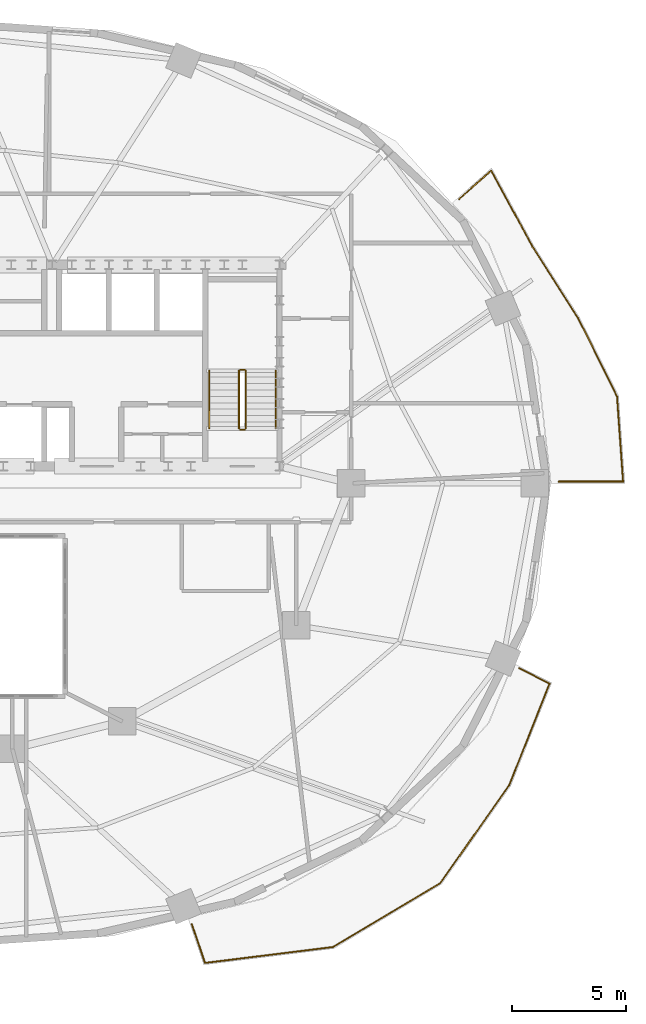
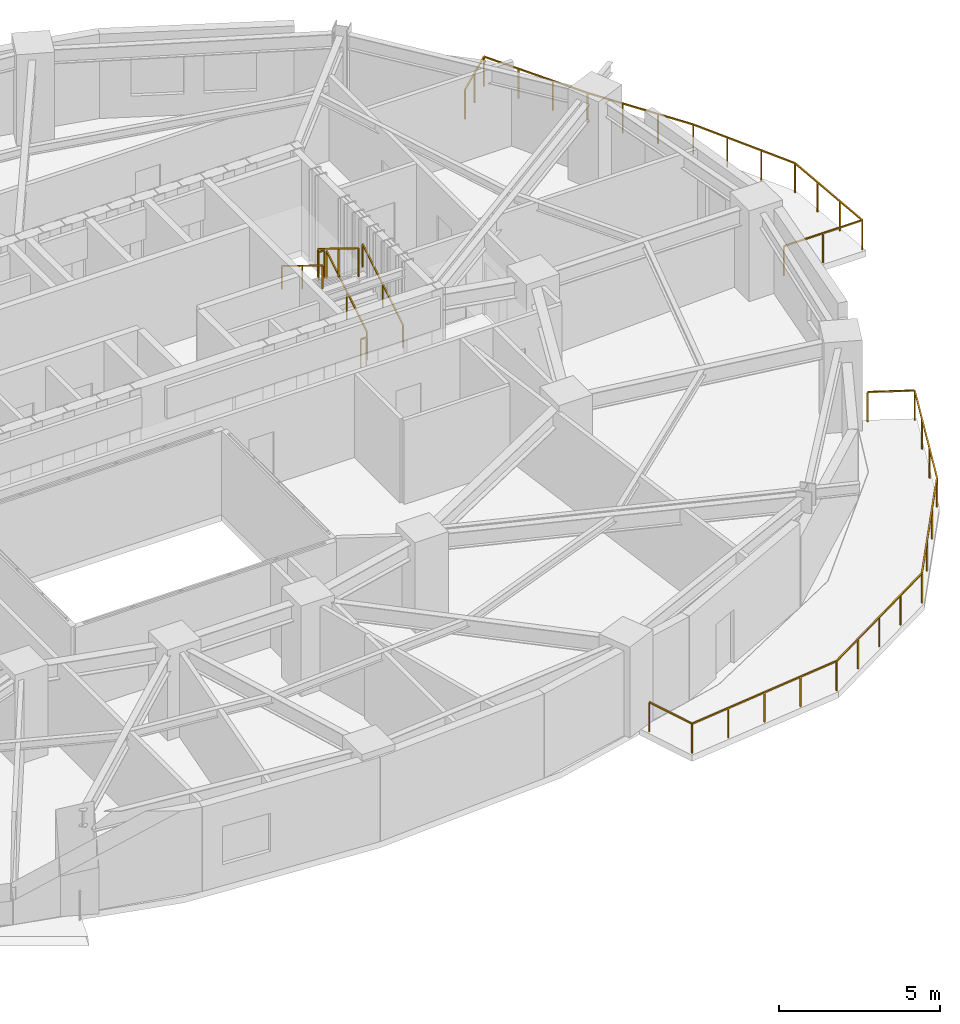
# One storey, part 11 of 11: 8 railings.
"""IFC4 building model written with IfcOpenShell, lengths in metres."""

from ifc_helpers import new_model, si_unit, direction, frame, origin, origin_2d, place, context, subcontext, project, spatial, rectangle, extrude, material, type_object, element, save


model = new_model("IFC4")

# Units and contexts
model_context = context("Model", 3, precision=1e-05, world=origin(), true_north=direction((0.0, 1.0)))
body_context = subcontext(model_context, "Body", "Model", "MODEL_VIEW")
ifc_project = project(units=[si_unit("LENGTHUNIT", "METRE"), si_unit("AREAUNIT", "SQUARE_METRE"), si_unit("VOLUMEUNIT", "CUBIC_METRE"), si_unit("PLANEANGLEUNIT", "RADIAN"), si_unit("MASSUNIT", "GRAM", prefix="KILO")], contexts=[model_context])

# Site, building, storey
site_placement = place(None, origin())
site = spatial("IfcSite", under=ifc_project, at=site_placement, CompositionType="ELEMENT")
building_placement = place(site_placement, origin())
building = spatial("IfcBuilding", under=site, at=building_placement, Name="Haldorwick Loom Tower", CompositionType="ELEMENT")
storey_placement = place(building_placement, frame((0.0, 0.0, 171.699951171875)))
storey = spatial("IfcBuildingStorey", under=building, at=storey_placement, Name="L46", CompositionType="ELEMENT", Elevation=171.699951171875)

# Railings
ifc_material_1 = material(Name="Galvanized Steel CSA G40.21 350W", Category="steel")
railing_type_1 = type_object("IfcRailingType", Name="ARC-RLG-BAL115", PredefinedType="BALUSTRADE", material=ifc_material_1)
railing_1_placement = place(storey_placement, frame((60.55419921875, 17.916748046875, 0.0)))
element("IfcRailing", 1, at=railing_1_placement, inside=storey, type_object=railing_type_1, Name="L46 Outdoor Terrace Guardrail SLB-L46-BAL_SE-1", PredefinedType="BALUSTRADE", context=body_context, shape_type="SweptSolid", body=[
    extrude(rectangle(XDim=0.048095703125, YDim=0.048095703125, at=origin_2d()), frame((0.0, 0.0, 1.1259765625), z_axis=(0.892261986487, -0.451518047778, 0.0), x_axis=(0.451518047778, 0.892261986487, 0.0)), (0.0, 0.0, 1.0), 1.472900390625),
    extrude(rectangle(XDim=0.048095703125, YDim=0.048095703125, at=origin_2d()), frame((1.314208984375, -0.6650390625, 1.1259765625), z_axis=(-0.368892536215, -0.929472052686, 0.0), x_axis=(0.929472052686, -0.368892536215, 0.0)), (0.0, 0.0, 1.0), 4.77099609375),
    extrude(rectangle(XDim=0.048095703125, YDim=0.048095703125, at=origin_2d()), frame((-0.44580078125, -5.099609375, 1.1259765625), z_axis=(-0.575818159114, -0.817577793017, 0.0), x_axis=(0.817577793017, -0.575818159114, 0.0)), (0.0, 0.0, 1.0), 5.23193359375),
    extrude(rectangle(XDim=0.048095703125, YDim=0.048095703125, at=origin_2d()), frame((-3.45849609375, -9.377197265625, 1.1259765625), z_axis=(-0.858668085407, -0.512532066415, 0.0), x_axis=(0.512532066415, -0.858668085407, 0.0)), (0.0, 0.0, 1.0), 5.4521484375),
    extrude(rectangle(XDim=0.048095703125, YDim=0.048095703125, at=origin_2d()), frame((-8.14013671875, -12.171630859375, 1.1259765625), z_axis=(-0.992333036754, -0.123592654179, 0.0), x_axis=(0.123592654179, -0.992333036754, 0.0)), (0.0, 0.0, 1.0), 5.6416015625),
    extrude(rectangle(XDim=0.048095703125, YDim=0.048095703125, at=origin_2d()), frame((-13.738525390625, -12.868896484375, 1.1259765625), z_axis=(-0.320886637071, 0.94711760946, 0.0), x_axis=(-0.94711760946, -0.320886637071, 0.0)), (0.0, 0.0, 1.0), 1.77490234375),
    extrude(rectangle(XDim=0.0419921875, YDim=0.0419921875, at=origin_2d()), origin(), (0.0, 0.0, 1.0), 1.101806640625),
    extrude(rectangle(XDim=0.0419921875, YDim=0.0419921875, at=origin_2d()), frame((1.314208984375, -0.6650390625, 0.0)), (0.0, 0.0, 1.0), 1.101806640625),
    extrude(rectangle(XDim=0.0419921875, YDim=0.0419921875, at=origin_2d()), frame((0.7275390625, -2.143310546875, 0.0)), (0.0, 0.0, 1.0), 1.101806640625),
    extrude(rectangle(XDim=0.0419921875, YDim=0.0419921875, at=origin_2d()), frame((0.140869140625, -3.621337890625, 0.0)), (0.0, 0.0, 1.0), 1.101806640625),
    extrude(rectangle(XDim=0.0419921875, YDim=0.0419921875, at=origin_2d()), frame((-0.44580078125, -5.099609375, 0.0)), (0.0, 0.0, 1.0), 1.101806640625),
    extrude(rectangle(XDim=0.0419921875, YDim=0.0419921875, at=origin_2d()), frame((-1.449951171875, -6.525390625, 0.0)), (0.0, 0.0, 1.0), 1.101806640625),
    extrude(rectangle(XDim=0.0419921875, YDim=0.0419921875, at=origin_2d()), frame((-2.454345703125, -7.951416015625, 0.0)), (0.0, 0.0, 1.0), 1.101806640625),
    extrude(rectangle(XDim=0.0419921875, YDim=0.0419921875, at=origin_2d()), frame((-3.45849609375, -9.377197265625, 0.0)), (0.0, 0.0, 1.0), 1.101806640625),
    extrude(rectangle(XDim=0.0419921875, YDim=0.0419921875, at=origin_2d()), frame((-4.62890625, -10.07568359375, 0.0)), (0.0, 0.0, 1.0), 1.101806640625),
    extrude(rectangle(XDim=0.0419921875, YDim=0.0419921875, at=origin_2d()), frame((-5.79931640625, -10.7744140625, 0.0)), (0.0, 0.0, 1.0), 1.101806640625),
    extrude(rectangle(XDim=0.0419921875, YDim=0.0419921875, at=origin_2d()), frame((-6.9697265625, -11.47314453125, 0.0)), (0.0, 0.0, 1.0), 1.101806640625),
    extrude(rectangle(XDim=0.0419921875, YDim=0.0419921875, at=origin_2d()), frame((-8.14013671875, -12.171630859375, 0.0)), (0.0, 0.0, 1.0), 1.101806640625),
    extrude(rectangle(XDim=0.0419921875, YDim=0.0419921875, at=origin_2d()), frame((-9.539794921875, -12.345947265625, 0.0)), (0.0, 0.0, 1.0), 1.101806640625),
    extrude(rectangle(XDim=0.0419921875, YDim=0.0419921875, at=origin_2d()), frame((-10.939453125, -12.520263671875, 0.0)), (0.0, 0.0, 1.0), 1.101806640625),
    extrude(rectangle(XDim=0.0419921875, YDim=0.0419921875, at=origin_2d()), frame((-12.3388671875, -12.694580078125, 0.0)), (0.0, 0.0, 1.0), 1.101806640625),
    extrude(rectangle(XDim=0.0419921875, YDim=0.0419921875, at=origin_2d()), frame((-13.738525390625, -12.868896484375, 0.0)), (0.0, 0.0, 1.0), 1.101806640625),
    extrude(rectangle(XDim=0.0419921875, YDim=0.0419921875, at=origin_2d()), frame((-14.30810546875, -11.187744140625, 0.0)), (0.0, 0.0, 1.0), 1.101806640625),
])
railing_2_placement = place(storey_placement, frame((57.91357421875, 38.416259765625, 0.0)))
element("IfcRailing", 2, at=railing_2_placement, inside=storey, type_object=railing_type_1, Name="L46 Outdoor Terrace Guardrail SLB-L46-BAL_ENE-1", PredefinedType="BALUSTRADE", context=body_context, shape_type="SweptSolid", body=[
    extrude(rectangle(XDim=0.048095703125, YDim=0.048095703125, at=origin_2d()), frame((0.0, 0.0, 1.1259765625), z_axis=(0.745995297982, 0.665951210967, 0.0), x_axis=(-0.665951210967, 0.745995297982, 0.0)), (0.0, 0.0, 1.0), 1.87890625),
    extrude(rectangle(XDim=0.048095703125, YDim=0.048095703125, at=origin_2d()), frame((1.401611328125, 1.251220703125, 1.1259765625), z_axis=(0.477375598096, -0.878699344681, 0.0), x_axis=(0.878699344681, 0.477375598096, 0.0)), (0.0, 0.0, 1.0), 3.7783203125),
    extrude(rectangle(XDim=0.048095703125, YDim=0.048095703125, at=origin_2d()), frame((3.205322265625, -2.06884765625, 1.1259765625), z_axis=(0.501036270542, -0.865426285481, 0.0), x_axis=(0.865426285481, 0.501036270542, 0.0)), (0.0, 0.0, 1.0), 0.00537109375),
    extrude(rectangle(XDim=0.048095703125, YDim=0.048095703125, at=origin_2d()), frame((3.2080078125, -2.073486328125, 1.1259765625), z_axis=(0.537781060041, -0.843084533995, 0.0), x_axis=(0.843084533995, 0.537781060041, 0.0)), (0.0, 0.0, 1.0), 3.71435546875),
    extrude(rectangle(XDim=0.048095703125, YDim=0.048095703125, at=origin_2d()), frame((5.20556640625, -5.205078125, 1.1259765625), z_axis=(0.445570186233, -0.895247010127, 0.0), x_axis=(0.895247010127, 0.445570186233, 0.0)), (0.0, 0.0, 1.0), 3.804931640625),
    extrude(rectangle(XDim=0.048095703125, YDim=0.048095703125, at=origin_2d()), frame((6.90087890625, -8.611328125, 1.1259765625), z_axis=(0.071391076537, -0.997448401769, 0.0), x_axis=(0.997448401769, 0.071391076537, 0.0)), (0.0, 0.0, 1.0), 3.734375),
    extrude(rectangle(XDim=0.048095703125, YDim=0.048095703125, at=origin_2d()), frame((7.16748046875, -12.336181640625, 1.1259765625), z_axis=(-1.0, 0.0, 0.0), x_axis=(0.0, -1.0, 0.0)), (0.0, 0.0, 1.0), 2.82080078125),
    extrude(rectangle(XDim=0.0419921875, YDim=0.0419921875, at=origin_2d()), origin(), (0.0, 0.0, 1.0), 1.101806640625),
    extrude(rectangle(XDim=0.0419921875, YDim=0.0419921875, at=origin_2d()), frame((0.70068359375, 0.62548828125, 0.0)), (0.0, 0.0, 1.0), 1.101806640625),
    extrude(rectangle(XDim=0.0419921875, YDim=0.0419921875, at=origin_2d()), frame((1.401611328125, 1.251220703125, 0.0)), (0.0, 0.0, 1.0), 1.101806640625),
    extrude(rectangle(XDim=0.0419921875, YDim=0.0419921875, at=origin_2d()), frame((2.0029296875, 0.14453125, 0.0)), (0.0, 0.0, 1.0), 1.101806640625),
    extrude(rectangle(XDim=0.0419921875, YDim=0.0419921875, at=origin_2d()), frame((2.60400390625, -0.962158203125, 0.0)), (0.0, 0.0, 1.0), 1.101806640625),
    extrude(rectangle(XDim=0.0419921875, YDim=0.0419921875, at=origin_2d()), frame((3.205322265625, -2.06884765625, 0.0)), (0.0, 0.0, 1.0), 1.101806640625),
    extrude(rectangle(XDim=0.0419921875, YDim=0.0419921875, at=origin_2d()), frame((3.873779296875, -3.117431640625, 0.0)), (0.0, 0.0, 1.0), 1.101806640625),
    extrude(rectangle(XDim=0.0419921875, YDim=0.0419921875, at=origin_2d()), frame((4.539794921875, -4.1611328125, 0.0)), (0.0, 0.0, 1.0), 1.101806640625),
    extrude(rectangle(XDim=0.0419921875, YDim=0.0419921875, at=origin_2d()), frame((5.20556640625, -5.205078125, 0.0)), (0.0, 0.0, 1.0), 1.101806640625),
    extrude(rectangle(XDim=0.0419921875, YDim=0.0419921875, at=origin_2d()), frame((5.770751953125, -6.340576171875, 0.0)), (0.0, 0.0, 1.0), 1.101806640625),
    extrude(rectangle(XDim=0.0419921875, YDim=0.0419921875, at=origin_2d()), frame((6.335693359375, -7.475830078125, 0.0)), (0.0, 0.0, 1.0), 1.101806640625),
    extrude(rectangle(XDim=0.0419921875, YDim=0.0419921875, at=origin_2d()), frame((6.90087890625, -8.611328125, 0.0)), (0.0, 0.0, 1.0), 1.101806640625),
    extrude(rectangle(XDim=0.0419921875, YDim=0.0419921875, at=origin_2d()), frame((6.98974609375, -9.85302734375, 0.0)), (0.0, 0.0, 1.0), 1.101806640625),
    extrude(rectangle(XDim=0.0419921875, YDim=0.0419921875, at=origin_2d()), frame((7.07861328125, -11.094482421875, 0.0)), (0.0, 0.0, 1.0), 1.101806640625),
    extrude(rectangle(XDim=0.0419921875, YDim=0.0419921875, at=origin_2d()), frame((7.16748046875, -12.336181640625, 0.0)), (0.0, 0.0, 1.0), 1.101806640625),
    extrude(rectangle(XDim=0.0419921875, YDim=0.0419921875, at=origin_2d()), frame((5.757080078125, -12.336181640625, 0.0)), (0.0, 0.0, 1.0), 1.101806640625),
    extrude(rectangle(XDim=0.0419921875, YDim=0.0419921875, at=origin_2d()), frame((4.3466796875, -12.336181640625, 0.0)), (0.0, 0.0, 1.0), 1.101806640625),
])
ifc_material_2 = material(Name="Steel CSA G40.21 350W", Category="steel")
railing_type_2 = type_object("IfcRailingType", Name="ARC-RLG-GUARD112", PredefinedType="GUARDRAIL", material=ifc_material_2)
railing_3_placement = place(storey_placement, frame((48.60009765625, 28.39990234375, 0.172607421875)))
element("IfcRailing", 3, at=railing_3_placement, inside=storey, type_object=railing_type_2, Name="L46 ST-02 stair guard 1", PredefinedType="GUARDRAIL", context=body_context, shape_type="SweptSolid", body=[
    extrude(rectangle(XDim=0.048095703125, YDim=0.048095703125, at=origin_2d()), frame((0.0, 0.0, 1.076171875), z_axis=(0.0, 0.851400495292, 0.524516154772), x_axis=(-1.0, 0.0, 0.0)), (0.0, 0.0, 1.0), 2.9599609375),
    extrude(rectangle(XDim=0.0419921875, YDim=0.0419921875, at=origin_2d()), origin(), (0.0, 0.0, 1.0), 1.052001953125),
    extrude(rectangle(XDim=0.0419921875, YDim=0.0419921875, at=origin_2d()), frame((0.0, 1.260009765625, 0.7763671875)), (0.0, 0.0, 1.0), 1.052001953125),
    extrude(rectangle(XDim=0.0419921875, YDim=0.0419921875, at=origin_2d()), frame((0.0, 2.52001953125, 1.552490234375)), (0.0, 0.0, 1.0), 1.052001953125),
])
railing_4_placement = place(storey_placement, frame((48.550048828125, 30.969970703125, 1.72509765625)))
element("IfcRailing", 4, at=railing_4_placement, inside=storey, type_object=railing_type_2, Name="L46 ST-02 stair guard 2", PredefinedType="GUARDRAIL", context=body_context, shape_type="SweptSolid", body=[
    extrude(rectangle(XDim=0.048095703125, YDim=0.048095703125, at=origin_2d()), frame((0.0, 0.0, 1.076171875), z_axis=(-1.0, 0.0, 0.0), x_axis=(0.0, -1.0, 0.0)), (0.0, 0.0, 1.0), 0.199951171875),
    extrude(rectangle(XDim=0.0419921875, YDim=0.0419921875, at=origin_2d()), origin(), (0.0, 0.0, 1.0), 1.052001953125),
    extrude(rectangle(XDim=0.0419921875, YDim=0.0419921875, at=origin_2d()), frame((-0.199951171875, 0.0, 0.0)), (0.0, 0.0, 1.0), 1.052001953125),
])
railing_5_placement = place(storey_placement, frame((48.300048828125, 30.919921875, 1.8974609375)))
element("IfcRailing", 5, at=railing_5_placement, inside=storey, type_object=railing_type_2, Name="L46 ST-02 stair guard 3", PredefinedType="GUARDRAIL", context=body_context, shape_type="SweptSolid", body=[
    extrude(rectangle(XDim=0.048095703125, YDim=0.048095703125, at=origin_2d()), frame((0.0, 0.0, 1.076171875), z_axis=(0.0, -0.851400495292, 0.524516154772), x_axis=(1.0, 0.0, 0.0)), (0.0, 0.0, 1.0), 2.9599609375),
    extrude(rectangle(XDim=0.0419921875, YDim=0.0419921875, at=origin_2d()), origin(), (0.0, 0.0, 1.0), 1.052001953125),
    extrude(rectangle(XDim=0.0419921875, YDim=0.0419921875, at=origin_2d()), frame((0.0, -1.260009765625, 0.7763671875)), (0.0, 0.0, 1.0), 1.052001953125),
    extrude(rectangle(XDim=0.0419921875, YDim=0.0419921875, at=origin_2d()), frame((0.0, -2.52001953125, 1.552490234375)), (0.0, 0.0, 1.0), 1.052001953125),
])
railing_6_placement = place(storey_placement, frame((48.550048828125, 28.35009765625, 0.0)))
element("IfcRailing", 6, at=railing_6_placement, inside=storey, type_object=railing_type_2, Name="L46 ST-02 stair guard 4", PredefinedType="GUARDRAIL", context=body_context, shape_type="SweptSolid", body=[
    extrude(rectangle(XDim=0.048095703125, YDim=0.048095703125, at=origin_2d()), frame((0.0, 0.0, 1.076171875), z_axis=(-1.0, 0.0, 0.0), x_axis=(0.0, -1.0, 0.0)), (0.0, 0.0, 1.0), 0.199951171875),
    extrude(rectangle(XDim=0.0419921875, YDim=0.0419921875, at=origin_2d()), origin(), (0.0, 0.0, 1.0), 1.052001953125),
    extrude(rectangle(XDim=0.0419921875, YDim=0.0419921875, at=origin_2d()), frame((-0.199951171875, 0.0, 0.0)), (0.0, 0.0, 1.0), 1.052001953125),
])
railing_type_3 = type_object("IfcRailingType", Name="ARC-RLG-HAND092", PredefinedType="HANDRAIL", material=ifc_material_2)
railing_7_placement = place(storey_placement, frame((49.89990234375, 28.39990234375, 0.172607421875)))
element("IfcRailing", 7, at=railing_7_placement, inside=storey, type_object=railing_type_3, Name="L46 ST-02 stair handrail 1", PredefinedType="HANDRAIL", context=body_context, shape_type="SweptSolid", body=[
    extrude(rectangle(XDim=0.048095703125, YDim=0.048095703125, at=origin_2d()), frame((0.0, 0.0, 0.8759765625), z_axis=(0.0, 0.851400495292, 0.524516154772), x_axis=(-1.0, 0.0, 0.0)), (0.0, 0.0, 1.0), 2.9599609375),
    extrude(rectangle(XDim=0.0419921875, YDim=0.0419921875, at=origin_2d()), origin(), (0.0, 0.0, 1.0), 0.851806640625),
    extrude(rectangle(XDim=0.0419921875, YDim=0.0419921875, at=origin_2d()), frame((0.0, 1.260009765625, 0.7763671875)), (0.0, 0.0, 1.0), 0.851806640625),
    extrude(rectangle(XDim=0.0419921875, YDim=0.0419921875, at=origin_2d()), frame((0.0, 2.52001953125, 1.552490234375)), (0.0, 0.0, 1.0), 0.851806640625),
])
railing_8_placement = place(storey_placement, frame((47.0, 30.919921875, 1.8974609375)))
element("IfcRailing", 8, at=railing_8_placement, inside=storey, type_object=railing_type_3, Name="L46 ST-02 stair handrail 2", PredefinedType="HANDRAIL", context=body_context, shape_type="SweptSolid", body=[
    extrude(rectangle(XDim=0.048095703125, YDim=0.048095703125, at=origin_2d()), frame((0.0, 0.0, 0.8759765625), z_axis=(0.0, -0.851400495292, 0.524516154772), x_axis=(1.0, 0.0, 0.0)), (0.0, 0.0, 1.0), 2.9599609375),
    extrude(rectangle(XDim=0.0419921875, YDim=0.0419921875, at=origin_2d()), origin(), (0.0, 0.0, 1.0), 0.851806640625),
    extrude(rectangle(XDim=0.0419921875, YDim=0.0419921875, at=origin_2d()), frame((0.0, -1.260009765625, 0.7763671875)), (0.0, 0.0, 1.0), 0.851806640625),
    extrude(rectangle(XDim=0.0419921875, YDim=0.0419921875, at=origin_2d()), frame((0.0, -2.52001953125, 1.552490234375)), (0.0, 0.0, 1.0), 0.851806640625),
])

save(model, "model.ifc")
